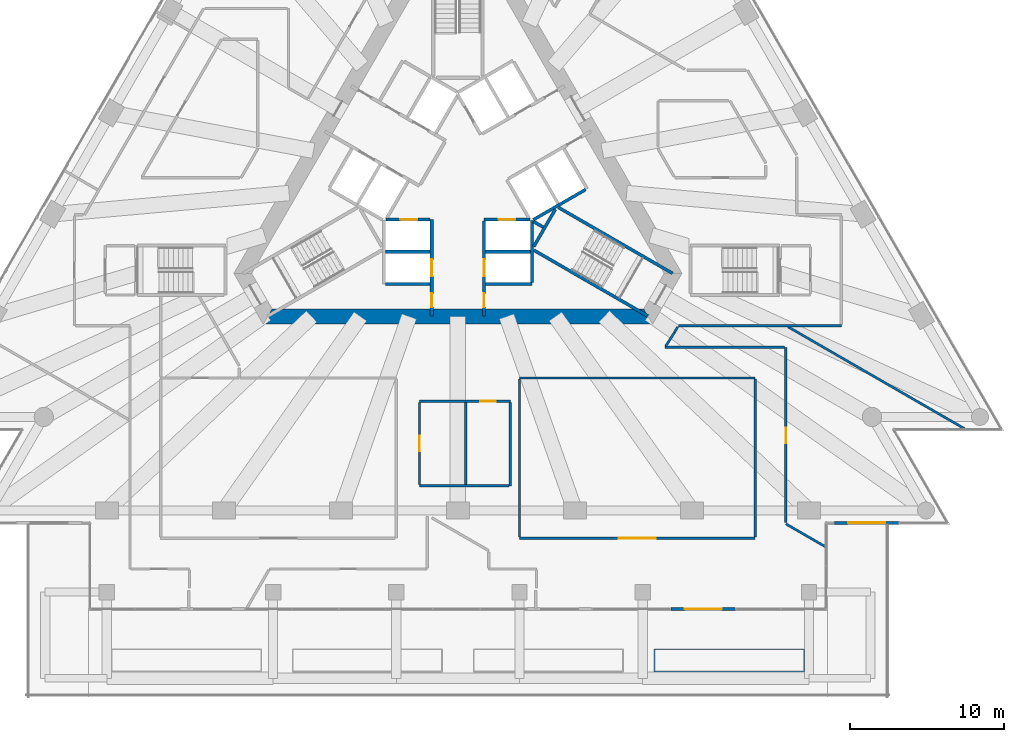
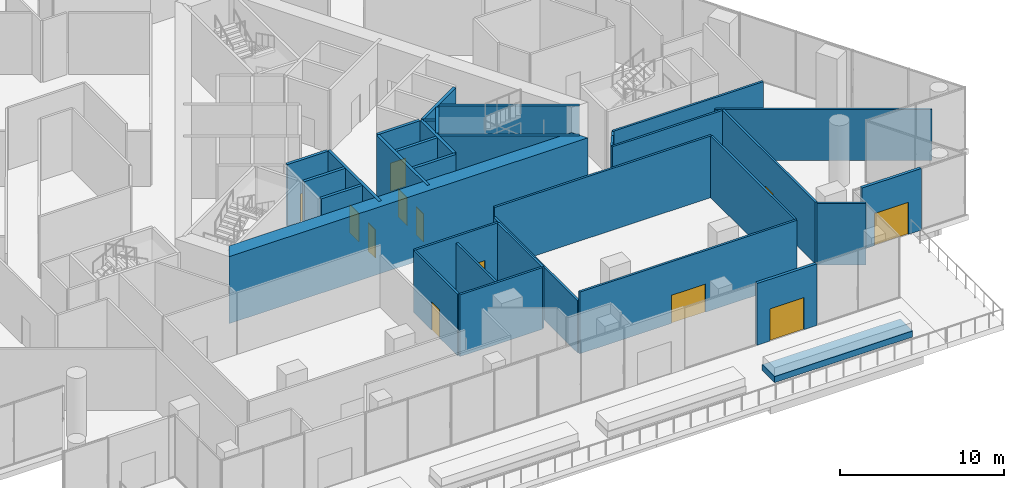
# One storey, part 26 of 32: 34 walls, 12 doors, 12 openings.
"""IFC4 building model written with IfcOpenShell, lengths in metres."""

from ifc_helpers import new_model, si_unit, direction, frame, frame_2d, origin, place, context, subcontext, project, spatial, polyline, rectangle, outline, extrude, material, layer, layer_set, layer_usage, type_object, element, fill, save


model = new_model("IFC4")

# Units and contexts
model_context = context("Model", 3, precision=1e-05, world=origin(), true_north=direction((0.0, 1.0)))
body_context = subcontext(model_context, "Body", "Model", "MODEL_VIEW")
ifc_project = project(units=[si_unit("LENGTHUNIT", "METRE"), si_unit("AREAUNIT", "SQUARE_METRE"), si_unit("VOLUMEUNIT", "CUBIC_METRE"), si_unit("PLANEANGLEUNIT", "RADIAN"), si_unit("MASSUNIT", "GRAM", prefix="KILO")], contexts=[model_context])

# Site, building, storey
site_placement = place(None, origin())
site = spatial("IfcSite", under=ifc_project, at=site_placement, CompositionType="ELEMENT")
building_placement = place(site_placement, origin())
building = spatial("IfcBuilding", under=site, at=building_placement, Name="Triada Interchange Tower", CompositionType="ELEMENT")
storey_placement = place(building_placement, frame((0.0, 0.0, 25.300048828125)))
storey = spatial("IfcBuildingStorey", under=building, at=storey_placement, Name="L04", CompositionType="ELEMENT", Elevation=25.300048828125)

# Walls
ifc_material_1 = material(Name="Concrete C30/37", Category="concrete")
ifc_layer_1 = layer(ifc_material_1, 0.199951171875)
ifc_layer_set_1 = layer_set([ifc_layer_1], Name="CORE WALL 200 EI 120")
wall_type_1 = type_object("IfcWallType", Name="CORE WALL 200 EI 120", PredefinedType="SOLIDWALL", material=ifc_layer_set_1)
for number, where, z_axis, x_axis, name in (
    (1, (-4.699951171875, -4.800048828125, 0.0), (0.0, 0.0, 1.0), (1.0, 0.0, 0.0), "Wall L04 96"),
    (2, (1.800048828125, -4.800048828125, 0.0), (0.0, 0.0, 1.0), (1.0, 0.0, 0.0), "Wall L04 97"),
    (3, (-4.699951171875, -6.89990234375, 0.0), (0.0, 0.0, 1.0), (1.0, 0.0, 0.0), "Wall L04 99"),
):
    element("IfcWall", number, at=place(storey_placement, frame(where, z_axis=z_axis, x_axis=x_axis)), inside=storey, type_object=wall_type_1, Name=name, PredefinedType="SOLIDWALL", context=body_context, shape_type="SweptSolid", body=[
        extrude(rectangle(XDim=2.89990234375, YDim=0.199951171875, at=frame_2d((1.449951171875, 0.0))), origin(), (0.0, 0.0, 1.0), 4.599853515625),
    ])
wall_1_placement = place(storey_placement, frame((1.800048828125, -6.89990234375, 0.0), z_axis=(0.0, 0.0, 1.0), x_axis=(1.0, 0.0, 0.0)))
element("IfcWall", 4, at=wall_1_placement, inside=storey, type_object=wall_type_1, Name="Wall L04 100", PredefinedType="SOLIDWALL", context=body_context, shape_type="SweptSolid", body=[
    extrude(rectangle(XDim=3.0, YDim=0.199951171875, at=frame_2d((1.5, 0.0))), origin(), (0.0, 0.0, 1.0), 4.599853515625),
])

# Wall, openings, doors
wall_2_placement = place(storey_placement, frame((-1.699951171875, -8.97998046875, 0.0), z_axis=(0.0, 0.0, 1.0), x_axis=(0.0, 1.0, 0.0)))
wall_2 = element("IfcWall", 5, at=wall_2_placement, inside=storey, type_object=wall_type_1, Name="Wall L04 101", PredefinedType="SOLIDWALL", context=body_context, shape_type="SweptSolid", body=[
    extrude(rectangle(XDim=6.277099609375, YDim=0.199951171875, at=frame_2d((3.138671875, 0.0))), origin(), (0.0, 0.0, 1.0), 4.599853515625),
])
opening_1_placement = place(wall_2_placement, frame((2.580078125, 0.0, 0.0)))
opening_1 = element("IfcOpeningElement", 6, at=opening_1_placement, cuts=wall_2, Name="Opening LD-LR4", PredefinedType="OPENING", context=body_context, shape_type="SweptSolid", body=[
    extrude(rectangle(XDim=1.10009765625, YDim=2.10009765625, at=frame_2d((0.550048828125, 1.050048828125))), frame((0.0, 0.10986328125, 0.0), z_axis=(0.0, -1.0, 0.0), x_axis=(1.0, 0.0, 0.0)), (0.0, 0.0, 1.0), 0.219970703125),
])
opening_2_placement = place(wall_2_placement, frame((0.580078125, 0.0, 0.0)))
opening_2 = element("IfcOpeningElement", 7, at=opening_2_placement, cuts=wall_2, Name="Opening D04-38", PredefinedType="OPENING", context=body_context, shape_type="SweptSolid", body=[
    extrude(rectangle(XDim=0.89990234375, YDim=2.10009765625, at=frame_2d((0.449951171875, 1.050048828125))), frame((0.0, 0.10986328125, 0.0), z_axis=(0.0, -1.0, 0.0), x_axis=(1.0, 0.0, 0.0)), (0.0, 0.0, 1.0), 0.219970703125),
])
ifc_material_2 = material(Name="Steel S235 door leaf", Category="steel")
door_type_1 = type_object("IfcDoorType", Name="LIFT LANDING DOOR 1100 EI 120", OperationType="SLIDING_TO_LEFT", PredefinedType="DOOR", material=ifc_material_2)
door_1_placement = place(opening_1_placement, origin())
door_1 = element("IfcDoor", 8, at=door_1_placement, inside=storey, type_object=door_type_1, Name="LR4 landing door L04", OperationType="SLIDING_TO_LEFT", OverallHeight=2.10009765625, OverallWidth=1.10009765625, PredefinedType="DOOR", context=body_context, shape_type="SweptSolid", body=[
    extrude(rectangle(XDim=1.10009765625, YDim=2.10009765625, at=frame_2d((0.550048828125, 1.050048828125))), frame((0.0, 0.02490234375, 0.0), z_axis=(0.0, -1.0, 0.0), x_axis=(1.0, 0.0, 0.0)), (0.0, 0.0, 1.0), 0.050048828125),
])
fill(opening_1, door_1)
door_type_2 = type_object("IfcDoorType", Name="RISER ACCESS DOOR 900 EI2 45-C5S200", OperationType="NOTDEFINED", PredefinedType="DOOR", material=ifc_material_2)
door_2_placement = place(opening_2_placement, origin())
door_2 = element("IfcDoor", 9, at=door_2_placement, inside=storey, type_object=door_type_2, Name="Door D04-38 L04", OperationType="SINGLE_SWING_RIGHT", OverallHeight=2.10009765625, OverallWidth=0.89990234375, PredefinedType="DOOR", context=body_context, shape_type="SweptSolid", body=[
    extrude(rectangle(XDim=0.89990234375, YDim=2.10009765625, at=frame_2d((0.449951171875, 1.050048828125))), frame((0.0, 0.02490234375, 0.0), z_axis=(0.0, -1.0, 0.0), x_axis=(1.0, 0.0, 0.0)), (0.0, 0.0, 1.0), 0.050048828125),
])
fill(opening_2, door_2)

# Wall, opening, door
wall_3_placement = place(storey_placement, frame((-4.676025390625, -2.699951171875, 0.0), z_axis=(0.0, 0.0, 1.0), x_axis=(1.0, 0.0, 0.0)))
wall_3 = element("IfcWall", 10, at=wall_3_placement, inside=storey, type_object=wall_type_1, Name="Wall L04 102", PredefinedType="SOLIDWALL", context=body_context, shape_type="SweptSolid", body=[
    extrude(rectangle(XDim=2.873046875, YDim=0.199951171875, at=frame_2d((1.4365234375, 0.0))), origin(), (0.0, 0.0, 1.0), 4.599853515625),
])
opening_3_placement = place(wall_3_placement, frame((0.93701171875, 0.0, 0.0)))
opening_3 = element("IfcOpeningElement", 11, at=opening_3_placement, cuts=wall_3, Name="Opening LD-LR3", PredefinedType="OPENING", context=body_context, shape_type="SweptSolid", body=[
    extrude(rectangle(XDim=1.10009765625, YDim=2.10009765625, at=frame_2d((0.550048828125, 1.050048828125))), frame((0.0, 0.10986328125, 0.0), z_axis=(0.0, -1.0, 0.0), x_axis=(1.0, 0.0, 0.0)), (0.0, 0.0, 1.0), 0.219970703125),
])
door_3_placement = place(opening_3_placement, origin())
door_3 = element("IfcDoor", 12, at=door_3_placement, inside=storey, type_object=door_type_1, Name="LR3 landing door L04", OperationType="SLIDING_TO_LEFT", OverallHeight=2.10009765625, OverallWidth=1.10009765625, PredefinedType="DOOR", context=body_context, shape_type="SweptSolid", body=[
    extrude(rectangle(XDim=1.10009765625, YDim=2.10009765625, at=frame_2d((0.550048828125, 1.050048828125))), frame((0.0, 0.02490234375, 0.0), z_axis=(0.0, -1.0, 0.0), x_axis=(1.0, 0.0, 0.0)), (0.0, 0.0, 1.0), 0.050048828125),
])
fill(opening_3, door_3)

wall_4_placement = place(storey_placement, frame((1.702880859375, -2.699951171875, 0.0), z_axis=(0.0, 0.0, 1.0), x_axis=(1.0, 0.0, 0.0)))
wall_4 = element("IfcWall", 13, at=wall_4_placement, inside=storey, type_object=wall_type_1, Name="Wall L04 103", PredefinedType="SOLIDWALL", context=body_context, shape_type="SweptSolid", body=[
    extrude(rectangle(XDim=2.97314453125, YDim=0.199951171875, at=frame_2d((1.486572265625, 0.0))), origin(), (0.0, 0.0, 1.0), 4.599853515625),
])
opening_4_placement = place(wall_4_placement, frame((0.93603515625, 0.0, 0.0)))
opening_4 = element("IfcOpeningElement", 14, at=opening_4_placement, cuts=wall_4, Name="Opening LD-LR1", PredefinedType="OPENING", context=body_context, shape_type="SweptSolid", body=[
    extrude(rectangle(XDim=1.10009765625, YDim=2.10009765625, at=frame_2d((0.550048828125, 1.050048828125))), frame((0.0, 0.10986328125, 0.0), z_axis=(0.0, -1.0, 0.0), x_axis=(1.0, 0.0, 0.0)), (0.0, 0.0, 1.0), 0.219970703125),
])
door_4_placement = place(opening_4_placement, origin())
door_4 = element("IfcDoor", 15, at=door_4_placement, inside=storey, type_object=door_type_1, Name="LR1 landing door L04", OperationType="SLIDING_TO_LEFT", OverallHeight=2.10009765625, OverallWidth=1.10009765625, PredefinedType="DOOR", context=body_context, shape_type="SweptSolid", body=[
    extrude(rectangle(XDim=1.10009765625, YDim=2.10009765625, at=frame_2d((0.550048828125, 1.050048828125))), frame((0.0, 0.02490234375, 0.0), z_axis=(0.0, -1.0, 0.0), x_axis=(1.0, 0.0, 0.0)), (0.0, 0.0, 1.0), 0.050048828125),
])
fill(opening_4, door_4)

# Wall, openings, doors
wall_5_placement = place(storey_placement, frame((1.699951171875, -8.97998046875, 0.0), z_axis=(0.0, 0.0, 1.0), x_axis=(0.0, 1.0, 0.0)))
wall_5 = element("IfcWall", 16, at=wall_5_placement, inside=storey, type_object=wall_type_1, Name="Wall L04 108", PredefinedType="SOLIDWALL", context=body_context, shape_type="SweptSolid", body=[
    extrude(rectangle(XDim=6.177001953125, YDim=0.199951171875, at=frame_2d((3.08837890625, 0.0))), origin(), (0.0, 0.0, 1.0), 4.599853515625),
])
opening_5_placement = place(wall_5_placement, frame((2.580078125, 0.0, 0.0)))
opening_5 = element("IfcOpeningElement", 17, at=opening_5_placement, cuts=wall_5, Name="Opening LD-LR2", PredefinedType="OPENING", context=body_context, shape_type="SweptSolid", body=[
    extrude(rectangle(XDim=1.10009765625, YDim=2.10009765625, at=frame_2d((0.550048828125, 1.050048828125))), frame((0.0, 0.10986328125, 0.0), z_axis=(0.0, -1.0, 0.0), x_axis=(1.0, 0.0, 0.0)), (0.0, 0.0, 1.0), 0.219970703125),
])
opening_6_placement = place(wall_5_placement, frame((0.580078125, 0.0, 0.0)))
opening_6 = element("IfcOpeningElement", 18, at=opening_6_placement, cuts=wall_5, Name="Opening D04-41", PredefinedType="OPENING", context=body_context, shape_type="SweptSolid", body=[
    extrude(rectangle(XDim=0.89990234375, YDim=2.10009765625, at=frame_2d((0.449951171875, 1.050048828125))), frame((0.0, 0.10986328125, 0.0), z_axis=(0.0, -1.0, 0.0), x_axis=(1.0, 0.0, 0.0)), (0.0, 0.0, 1.0), 0.219970703125),
])
door_5_placement = place(opening_5_placement, origin())
door_5 = element("IfcDoor", 19, at=door_5_placement, inside=storey, type_object=door_type_1, Name="LR2 landing door L04", OperationType="SLIDING_TO_LEFT", OverallHeight=2.10009765625, OverallWidth=1.10009765625, PredefinedType="DOOR", context=body_context, shape_type="SweptSolid", body=[
    extrude(rectangle(XDim=1.10009765625, YDim=2.10009765625, at=frame_2d((0.550048828125, 1.050048828125))), frame((0.0, 0.02490234375, 0.0), z_axis=(0.0, -1.0, 0.0), x_axis=(1.0, 0.0, 0.0)), (0.0, 0.0, 1.0), 0.050048828125),
])
fill(opening_5, door_5)
door_type_3 = type_object("IfcDoorType", Name="SERVICE DOOR 900 EI2 45-C5S200", OperationType="NOTDEFINED", PredefinedType="DOOR", material=ifc_material_2)
door_6_placement = place(opening_6_placement, origin())
door_6 = element("IfcDoor", 20, at=door_6_placement, inside=storey, type_object=door_type_3, Name="Door D04-41 L04", OperationType="SINGLE_SWING_LEFT", OverallHeight=2.10009765625, OverallWidth=0.89990234375, PredefinedType="DOOR", context=body_context, shape_type="SweptSolid", body=[
    extrude(rectangle(XDim=0.89990234375, YDim=2.10009765625, at=frame_2d((0.449951171875, 1.050048828125))), frame((0.0, 0.02490234375, 0.0), z_axis=(0.0, -1.0, 0.0), x_axis=(1.0, 0.0, 0.0)), (0.0, 0.0, 1.0), 0.050048828125),
])
fill(opening_6, door_6)

# Walls
wall_6_placement = place(storey_placement, frame((4.800048828125, -6.800048828125, 0.0), z_axis=(0.0, 0.0, 1.0), x_axis=(0.0, 1.0, 0.0)))
element("IfcWall", 21, at=wall_6_placement, inside=storey, type_object=wall_type_1, Name="Wall L04 109", PredefinedType="SOLIDWALL", context=body_context, shape_type="SweptSolid", body=[
    extrude(rectangle(XDim=4.029052734375, YDim=0.199951171875, at=frame_2d((2.0146484375, 0.0))), origin(), (0.0, 0.0, 1.0), 4.599853515625),
])
wall_7_placement = place(storey_placement, frame((4.89990234375, -2.714111328125, 0.0), z_axis=(0.0, 0.0, 1.0), x_axis=(0.865992350556, 0.500057245502, 0.0)))
element("IfcWall", 22, at=wall_7_placement, inside=storey, type_object=wall_type_1, Name="Wall L04 115", PredefinedType="SOLIDWALL", context=body_context, shape_type="SweptSolid", body=[
    extrude(rectangle(XDim=3.91357421875, YDim=0.199951171875, at=frame_2d((1.956787109375, 0.0))), origin(), (0.0, 0.0, 1.0), 4.599853515625),
])
ifc_layer_2 = layer(ifc_material_1, 0.199951171875)
ifc_layer_set_2 = layer_set([ifc_layer_2], Name="CORE WALL 200 EI 90")
wall_type_2 = type_object("IfcWallType", Name="CORE WALL 200 EI 90", PredefinedType="SOLIDWALL", material=ifc_layer_set_2)
wall_8_placement = place(storey_placement, frame((4.89990234375, -2.8291015625, 0.0), z_axis=(0.0, 0.0, 1.0), x_axis=(0.865944298464, -0.500140452231, 0.0)))
element("IfcWall", 23, at=wall_8_placement, inside=storey, type_object=wall_type_2, Name="Wall L04 131", PredefinedType="SOLIDWALL", context=body_context, shape_type="SweptSolid", body=[
    extrude(rectangle(XDim=0.741455078125, YDim=0.199951171875, at=frame_2d((0.37060546875, 0.0))), origin(), (0.0, 0.0, 1.0), 4.599853515625),
])
ifc_layer_3 = layer(ifc_material_1, 0.199951171875)
ifc_layer_set_3 = layer_set([ifc_layer_3], Name="CORE WALL 200 REI 240")
wall_type_3 = type_object("IfcWallType", Name="CORE WALL 200 REI 240", PredefinedType="SOLIDWALL", material=ifc_layer_set_3)
wall_9_placement = place(storey_placement, frame((4.928955078125, -4.4619140625, 0.0), z_axis=(0.0, 0.0, 1.0), x_axis=(0.500200581029, 0.865909567298, 0.0)))
element("IfcWall", 24, at=wall_9_placement, inside=storey, type_object=wall_type_3, Name="Wall L04 138", PredefinedType="SOLIDWALL", context=body_context, shape_type="SweptSolid", body=[
    extrude(rectangle(XDim=2.799072265625, YDim=0.199951171875, at=frame_2d((1.3994140625, 0.0))), origin(), (0.0, 0.0, 1.0), 4.599853515625),
])
wall_10_placement = place(storey_placement, frame((6.529052734375, -1.922119140625, 0.0), z_axis=(0.0, 0.0, 1.0), x_axis=(0.866036527536, -0.499980732602, 0.0)))
element("IfcWall", 25, at=wall_10_placement, inside=storey, type_object=wall_type_3, Name="Wall L04 139", PredefinedType="SOLIDWALL", context=body_context, shape_type="SweptSolid", body=[
    extrude(rectangle(XDim=8.564208984375, YDim=0.199951171875, at=frame_2d((4.2822265625, 0.0))), origin(), (0.0, 0.0, 1.0), 4.599853515625),
])
wall_11_placement = place(storey_placement, frame((4.928955078125, -4.693115234375, 0.0), z_axis=(0.0, 0.0, 1.0), x_axis=(0.865987152174, -0.50006624788, 0.0)))
element("IfcWall", 26, at=wall_11_placement, inside=storey, type_object=wall_type_3, Name="Wall L04 140", PredefinedType="SOLIDWALL", context=body_context, shape_type="SweptSolid", body=[
    extrude(rectangle(XDim=8.564697265625, YDim=0.199951171875, at=frame_2d((4.2822265625, 0.0))), origin(), (0.0, 0.0, 1.0), 4.599853515625),
])
ifc_material_3 = material(Name="Concrete C70/85", Category="concrete")
ifc_layer_4 = layer(ifc_material_3, 1.0)
ifc_layer_set_4 = layer_set([ifc_layer_4], Name="Core wall P 1000")
wall_type_4 = type_object("IfcWallType", Name="Core wall P 1000", PredefinedType="SHEAR", material=ifc_layer_set_4)
wall_12_placement = place(storey_placement, frame((-12.35498046875, -9.0, -0.400146484375), z_axis=(0.0, 0.0, 1.0), x_axis=(1.0, 0.0, 0.0)))
element("IfcWall", 27, at=wall_12_placement, inside=storey, type_object=wall_type_4, Name="Core wall WP04 L04", PredefinedType="SHEAR", context=body_context, shape_type="SweptSolid", body=[
    extrude(outline(polyline([(-0.2890625, -0.5), (1.65625, -0.5), (3.601318359375, -0.5), (5.546630859375, -0.5), (7.491943359375, -0.5), (9.43701171875, -0.5), (11.38232421875, -0.5), (13.32763671875, -0.5), (15.27294921875, -0.5), (17.218017578125, -0.5), (19.163330078125, -0.5), (21.108642578125, -0.5), (23.0537109375, -0.5), (24.9990234375, -0.5), (24.422119140625, 0.5), (22.565673828125, 0.5), (20.709228515625, 0.5), (18.852783203125, 0.5), (16.996337890625, 0.5), (15.139892578125, 0.5), (13.283447265625, 0.5), (11.4267578125, 0.5), (9.5703125, 0.5), (7.7138671875, 0.5), (5.857421875, 0.5), (4.0009765625, 0.5), (2.14453125, 0.5), (0.2880859375, 0.5), (-0.2890625, -0.5)])), origin(), (0.0, 0.0, 1.0), 5.0),
])

# Wall, opening, door
ifc_material_4 = material(Name="Cement board")
ifc_layer_5 = layer(ifc_material_4, 0.02001953125, Name="Cement board cladding")
ifc_material_5 = material(Name="Sheathing board")
ifc_layer_6 = layer(ifc_material_5, 0.014892578125, Name="Sheathing board")
ifc_material_6 = material(Name="Mineral wool")
ifc_layer_7 = layer(ifc_material_6, 0.14990234375, Name="Mineral wool between steel studs")
ifc_material_7 = material(Name="Gypsum board")
ifc_layer_8 = layer(ifc_material_7, 0.014892578125, Name="Plasterboard lining")
ifc_layer_set_5 = layer_set([ifc_layer_5, ifc_layer_6, ifc_layer_7, ifc_layer_8], Name="External wall 200")
ifc_layer_usage = layer_usage(ifc_layer_set_5, "AXIS2", "POSITIVE", -0.10009765625)
wall_type_5 = type_object("IfcWallType", Name="External wall 200", PredefinedType="ELEMENTEDWALL", material=ifc_layer_set_5)
wall_13_placement = place(storey_placement, frame((13.8330078125, -28.0, 0.0), z_axis=(0.0, 0.0, 1.0), x_axis=(1.0, 0.0, 0.0)))
wall_13 = element("IfcWall", 28, at=wall_13_placement, inside=storey, type_object=wall_type_5, material=ifc_layer_usage, Name="External wall L04 00.5", PredefinedType="ELEMENTEDWALL", context=body_context, shape_type="SweptSolid", body=[
    extrude(rectangle(XDim=4.199951171875, YDim=0.199951171875, at=frame_2d((2.10009765625, 0.0))), origin(), (0.0, 0.0, 1.0), 4.599853515625),
])
opening_7_placement = place(wall_13_placement, frame((0.89990234375, 0.0, 0.0)))
opening_7 = element("IfcOpeningElement", 29, at=opening_7_placement, cuts=wall_13, Name="Opening DX52", PredefinedType="OPENING", context=body_context, shape_type="SweptSolid", body=[
    extrude(rectangle(XDim=2.39990234375, YDim=2.39990234375, at=frame_2d((1.199951171875, 1.199951171875))), frame((0.0, 0.10986328125, 0.0), z_axis=(0.0, -1.0, 0.0), x_axis=(1.0, 0.0, 0.0)), (0.0, 0.0, 1.0), 0.219970703125),
])
ifc_material_8 = material(Name="Aluminium and glass", Category="aluminium")
door_type_4 = type_object("IfcDoorType", Name="Terrace door double", OperationType="DOUBLE_DOOR_SINGLE_SWING", PredefinedType="DOOR", material=ifc_material_8)
door_7_placement = place(opening_7_placement, frame((2.39990234375, 0.0, 0.0), z_axis=(0.0, 0.0, 1.0), x_axis=(-1.0, 0.0, 0.0)))
door_7 = element("IfcDoor", 30, at=door_7_placement, inside=storey, type_object=door_type_4, Name="Door DX52 L04", OperationType="DOUBLE_DOOR_SINGLE_SWING", OverallHeight=2.39990234375, OverallWidth=2.39990234375, PredefinedType="DOOR", context=body_context, shape_type="SweptSolid", body=[
    extrude(rectangle(XDim=2.39990234375, YDim=2.39990234375, at=frame_2d((1.199951171875, 1.199951171875))), frame((0.0, 0.02490234375, 0.0), z_axis=(0.0, -1.0, 0.0), x_axis=(1.0, 0.0, 0.0)), (0.0, 0.0, 1.0), 0.050048828125),
])
fill(opening_7, door_7)

wall_14_placement = place(storey_placement, frame((24.44189453125, -22.39990234375, 0.0), z_axis=(0.0, 0.0, 1.0), x_axis=(1.0, 0.0, 0.0)))
wall_14 = element("IfcWall", 31, at=wall_14_placement, inside=storey, type_object=wall_type_5, material=ifc_layer_usage, Name="External wall L04 02.1", PredefinedType="ELEMENTEDWALL", context=body_context, shape_type="SweptSolid", body=[
    extrude(rectangle(XDim=4.2001953125, YDim=0.199951171875, at=frame_2d((2.10009765625, 0.0))), origin(), (0.0, 0.0, 1.0), 4.599853515625),
])
opening_8_placement = place(wall_14_placement, frame((0.89990234375, 0.0, 0.0)))
opening_8 = element("IfcOpeningElement", 32, at=opening_8_placement, cuts=wall_14, Name="Opening DX53", PredefinedType="OPENING", context=body_context, shape_type="SweptSolid", body=[
    extrude(rectangle(XDim=2.39990234375, YDim=2.39990234375, at=frame_2d((1.199951171875, 1.199951171875))), frame((0.0, 0.10986328125, 0.0), z_axis=(0.0, -1.0, 0.0), x_axis=(1.0, 0.0, 0.0)), (0.0, 0.0, 1.0), 0.219970703125),
])
door_8_placement = place(opening_8_placement, frame((2.39990234375, 0.0, 0.0), z_axis=(0.0, 0.0, 1.0), x_axis=(-1.0, 0.0, 0.0)))
door_8 = element("IfcDoor", 33, at=door_8_placement, inside=storey, type_object=door_type_4, Name="Door DX53 L04", OperationType="DOUBLE_DOOR_SINGLE_SWING", OverallHeight=2.39990234375, OverallWidth=2.39990234375, PredefinedType="DOOR", context=body_context, shape_type="SweptSolid", body=[
    extrude(rectangle(XDim=2.39990234375, YDim=2.39990234375, at=frame_2d((1.199951171875, 1.199951171875))), frame((0.0, 0.02490234375, 0.0), z_axis=(0.0, -1.0, 0.0), x_axis=(1.0, 0.0, 0.0)), (0.0, 0.0, 1.0), 0.050048828125),
])
fill(opening_8, door_8)

# Walls
ifc_material_9 = material(Name="Gypsum board partition")
ifc_layer_9 = layer(ifc_material_9, 0.14990234375)
ifc_layer_set_6 = layer_set([ifc_layer_9], Name="PARTITION 150 EI 90")
wall_type_6 = type_object("IfcWallType", Name="PARTITION 150 EI 90", PredefinedType="PARTITIONING", material=ifc_layer_set_6)
wall_15_placement = place(storey_placement, frame((14.318115234375, -9.60009765625, 0.0), z_axis=(0.0, 0.0, 1.0), x_axis=(1.0, 0.0, 0.0)))
element("IfcWall", 34, at=wall_15_placement, inside=storey, type_object=wall_type_6, Name="Wall L04 19", PredefinedType="PARTITIONING", context=body_context, shape_type="SweptSolid", body=[
    extrude(rectangle(XDim=10.581787109375, YDim=0.14990234375, at=frame_2d((5.291015625, 0.0))), origin(), (0.0, 0.0, 1.0), 4.599853515625),
])
wall_16_placement = place(storey_placement, frame((4.0, -13.0, 0.0), z_axis=(0.0, 0.0, 1.0), x_axis=(1.0, 0.0, 0.0)))
element("IfcWall", 35, at=wall_16_placement, inside=storey, type_object=wall_type_6, Name="Wall L04 29", PredefinedType="PARTITIONING", context=body_context, shape_type="SweptSolid", body=[
    extrude(rectangle(XDim=15.300048828125, YDim=0.14990234375, at=frame_2d((7.64990234375, 0.0))), origin(), (0.0, 0.0, 1.0), 4.599853515625),
])

# Wall, opening, door
wall_17_placement = place(storey_placement, frame((4.0, -23.39990234375, 0.0), z_axis=(0.0, 0.0, 1.0), x_axis=(1.0, 0.0, 0.0)))
wall_17 = element("IfcWall", 36, at=wall_17_placement, inside=storey, type_object=wall_type_6, Name="Wall L04 32", PredefinedType="PARTITIONING", context=body_context, shape_type="SweptSolid", body=[
    extrude(rectangle(XDim=15.300048828125, YDim=0.14990234375, at=frame_2d((7.64990234375, 0.0))), origin(), (0.0, 0.0, 1.0), 4.599853515625),
])
opening_9_placement = place(wall_17_placement, frame((6.449951171875, 0.0, 0.0)))
opening_9 = element("IfcOpeningElement", 37, at=opening_9_placement, cuts=wall_17, Name="Opening D04-17", PredefinedType="OPENING", context=body_context, shape_type="SweptSolid", body=[
    extrude(rectangle(XDim=2.39990234375, YDim=2.10009765625, at=frame_2d((1.199951171875, 1.050048828125))), frame((0.0, 0.0849609375, 0.0), z_axis=(0.0, -1.0, 0.0), x_axis=(1.0, 0.0, 0.0)), (0.0, 0.0, 1.0), 0.169921875),
])
door_type_5 = type_object("IfcDoorType", Name="SHOP AND HALL ENTRANCE DOOR 2400 EI2 90-C5S200", OperationType="DOUBLE_DOOR_SINGLE_SWING", PredefinedType="DOOR", material=ifc_material_2)
door_9_placement = place(opening_9_placement, origin())
door_9 = element("IfcDoor", 38, at=door_9_placement, inside=storey, type_object=door_type_5, Name="Door D04-17 L04", OperationType="DOUBLE_DOOR_SINGLE_SWING", OverallHeight=2.10009765625, OverallWidth=2.39990234375, PredefinedType="DOOR", context=body_context, shape_type="SweptSolid", body=[
    extrude(rectangle(XDim=2.39990234375, YDim=2.10009765625, at=frame_2d((1.199951171875, 1.050048828125))), frame((0.0, 0.02490234375, 0.0), z_axis=(0.0, -1.0, 0.0), x_axis=(1.0, 0.0, 0.0)), (0.0, 0.0, 1.0), 0.050048828125),
])
fill(opening_9, door_9)

wall_18_placement = place(storey_placement, frame((-2.5, -14.5, 0.0), z_axis=(0.0, 0.0, 1.0), x_axis=(1.0, 0.0, 0.0)))
wall_18 = element("IfcWall", 39, at=wall_18_placement, inside=storey, type_object=wall_type_6, Name="Wall L04 55", PredefinedType="PARTITIONING", context=body_context, shape_type="SweptSolid", body=[
    extrude(rectangle(XDim=5.89990234375, YDim=0.14990234375, at=frame_2d((2.949951171875, 0.0))), origin(), (0.0, 0.0, 1.0), 4.599853515625),
])
opening_10_placement = place(wall_18_placement, frame((3.949951171875, 0.0, 0.0)))
opening_10 = element("IfcOpeningElement", 40, at=opening_10_placement, cuts=wall_18, Name="Opening D04-19", PredefinedType="OPENING", context=body_context, shape_type="SweptSolid", body=[
    extrude(rectangle(XDim=1.0, YDim=2.10009765625, at=frame_2d((0.5, 1.050048828125))), frame((0.0, 0.0849609375, 0.0), z_axis=(0.0, -1.0, 0.0), x_axis=(1.0, 0.0, 0.0)), (0.0, 0.0, 1.0), 0.169921875),
])
door_type_6 = type_object("IfcDoorType", Name="ROOM DOOR 1000 EI2 45-C5S200", OperationType="NOTDEFINED", PredefinedType="DOOR", material=ifc_material_2)
door_10_placement = place(opening_10_placement, origin())
door_10 = element("IfcDoor", 41, at=door_10_placement, inside=storey, type_object=door_type_6, Name="Door D04-19 L04", OperationType="SINGLE_SWING_RIGHT", OverallHeight=2.10009765625, OverallWidth=1.0, PredefinedType="DOOR", context=body_context, shape_type="SweptSolid", body=[
    extrude(rectangle(XDim=1.0, YDim=2.10009765625, at=frame_2d((0.5, 1.050048828125))), frame((0.0, 0.02490234375, 0.0), z_axis=(0.0, -1.0, 0.0), x_axis=(1.0, 0.0, 0.0)), (0.0, 0.0, 1.0), 0.050048828125),
])
fill(opening_10, door_10)

# Walls
wall_19_placement = place(storey_placement, frame((3.39990234375, -20.0, 0.0), z_axis=(0.0, 0.0, 1.0), x_axis=(0.0, 1.0, 0.0)))
element("IfcWall", 42, at=wall_19_placement, inside=storey, type_object=wall_type_6, Name="Wall L04 56", PredefinedType="PARTITIONING", context=body_context, shape_type="SweptSolid", body=[
    extrude(rectangle(XDim=5.425048828125, YDim=0.14990234375, at=frame_2d((2.71240234375, 0.0))), origin(), (0.0, 0.0, 1.0), 4.599853515625),
])
wall_20_placement = place(storey_placement, frame((-2.5, -20.0, 0.0), z_axis=(0.0, 0.0, 1.0), x_axis=(1.0, 0.0, 0.0)))
element("IfcWall", 43, at=wall_20_placement, inside=storey, type_object=wall_type_6, Name="Wall L04 57", PredefinedType="PARTITIONING", context=body_context, shape_type="SweptSolid", body=[
    extrude(rectangle(XDim=5.824951171875, YDim=0.14990234375, at=frame_2d((2.91259765625, 0.0))), origin(), (0.0, 0.0, 1.0), 4.599853515625),
])
wall_21_placement = place(storey_placement, frame((0.5, -19.925048828125, 0.0), z_axis=(0.0, 0.0, 1.0), x_axis=(0.0, 1.0, 0.0)))
element("IfcWall", 44, at=wall_21_placement, inside=storey, type_object=wall_type_6, Name="Wall L04 58", PredefinedType="PARTITIONING", context=body_context, shape_type="SweptSolid", body=[
    extrude(rectangle(XDim=5.35009765625, YDim=0.14990234375, at=frame_2d((2.675048828125, 0.0))), origin(), (0.0, 0.0, 1.0), 4.099853515625),
])

# Wall, opening, door
wall_22_placement = place(storey_placement, frame((-2.5, -19.925048828125, 0.0), z_axis=(0.0, 0.0, 1.0), x_axis=(0.0, 1.0, 0.0)))
wall_22 = element("IfcWall", 45, at=wall_22_placement, inside=storey, type_object=wall_type_6, Name="Wall L04 59", PredefinedType="PARTITIONING", context=body_context, shape_type="SweptSolid", body=[
    extrude(rectangle(XDim=5.35009765625, YDim=0.14990234375, at=frame_2d((2.675048828125, 0.0))), origin(), (0.0, 0.0, 1.0), 4.599853515625),
])
opening_11_placement = place(wall_22_placement, frame((2.175048828125, 0.0, 0.0)))
opening_11 = element("IfcOpeningElement", 46, at=opening_11_placement, cuts=wall_22, Name="Opening D04-18", PredefinedType="OPENING", context=body_context, shape_type="SweptSolid", body=[
    extrude(rectangle(XDim=1.0, YDim=2.10009765625, at=frame_2d((0.5, 1.050048828125))), frame((0.0, 0.0849609375, 0.0), z_axis=(0.0, -1.0, 0.0), x_axis=(1.0, 0.0, 0.0)), (0.0, 0.0, 1.0), 0.169921875),
])
door_11_placement = place(opening_11_placement, origin())
door_11 = element("IfcDoor", 47, at=door_11_placement, inside=storey, type_object=door_type_6, Name="Door D04-18 L04", OperationType="SINGLE_SWING_LEFT", OverallHeight=2.10009765625, OverallWidth=1.0, PredefinedType="DOOR", context=body_context, shape_type="SweptSolid", body=[
    extrude(rectangle(XDim=1.0, YDim=2.10009765625, at=frame_2d((0.5, 1.050048828125))), frame((0.0, 0.02490234375, 0.0), z_axis=(0.0, -1.0, 0.0), x_axis=(1.0, 0.0, 0.0)), (0.0, 0.0, 1.0), 0.050048828125),
])
fill(opening_11, door_11)

# Wall
wall_23_placement = place(storey_placement, frame((21.300048828125, -22.470947265625, 0.0), z_axis=(0.0, 0.0, 1.0), x_axis=(0.86589168432, -0.500231537416, 0.0)))
element("IfcWall", 48, at=wall_23_placement, inside=storey, type_object=wall_type_6, Name="Wall L04 68", PredefinedType="PARTITIONING", context=body_context, shape_type="SweptSolid", body=[
    extrude(rectangle(XDim=3.00244140625, YDim=0.14990234375, at=frame_2d((1.501220703125, 0.0))), origin(), (0.0, 0.0, 1.0), 4.599853515625),
])

# Wall, opening, door
wall_24_placement = place(storey_placement, frame((21.300048828125, -22.385009765625, 0.0), z_axis=(0.0, 0.0, 1.0), x_axis=(0.0, 1.0, 0.0)))
wall_24 = element("IfcWall", 49, at=wall_24_placement, inside=storey, type_object=wall_type_6, Name="Wall L04 69", PredefinedType="PARTITIONING", context=body_context, shape_type="SweptSolid", body=[
    extrude(rectangle(XDim=11.385009765625, YDim=0.14990234375, at=frame_2d((5.6923828125, 0.0))), origin(), (0.0, 0.0, 1.0), 4.599853515625),
])
opening_12_placement = place(wall_24_placement, frame((5.14892578125, 0.0, 0.0)))
opening_12 = element("IfcOpeningElement", 50, at=opening_12_placement, cuts=wall_24, Name="Opening D04-31", PredefinedType="OPENING", context=body_context, shape_type="SweptSolid", body=[
    extrude(rectangle(XDim=1.0, YDim=2.10009765625, at=frame_2d((0.5, 1.050048828125))), frame((0.0, 0.0849609375, 0.0), z_axis=(0.0, -1.0, 0.0), x_axis=(1.0, 0.0, 0.0)), (0.0, 0.0, 1.0), 0.169921875),
])
door_12_placement = place(opening_12_placement, origin())
door_12 = element("IfcDoor", 51, at=door_12_placement, inside=storey, type_object=door_type_6, Name="Door D04-31 L04", OperationType="SINGLE_SWING_LEFT", OverallHeight=2.10009765625, OverallWidth=1.0, PredefinedType="DOOR", context=body_context, shape_type="SweptSolid", body=[
    extrude(rectangle(XDim=1.0, YDim=2.10009765625, at=frame_2d((0.5, 1.050048828125))), frame((0.0, 0.02490234375, 0.0), z_axis=(0.0, -1.0, 0.0), x_axis=(1.0, 0.0, 0.0)), (0.0, 0.0, 1.0), 0.050048828125),
])
fill(opening_12, door_12)

# Walls
wall_25_placement = place(storey_placement, frame((13.447021484375, -11.0, 0.0), z_axis=(0.0, 0.0, 1.0), x_axis=(1.0, 0.0, 0.0)))
element("IfcWall", 52, at=wall_25_placement, inside=storey, type_object=wall_type_6, Name="Wall L04 70", PredefinedType="PARTITIONING", context=body_context, shape_type="SweptSolid", body=[
    extrude(rectangle(XDim=7.778076171875, YDim=0.14990234375, at=frame_2d((3.88916015625, 0.0))), origin(), (0.0, 0.0, 1.0), 4.599853515625),
])
wall_26_placement = place(storey_placement, frame((13.49609375, -10.925048828125, 0.0), z_axis=(0.0, 0.0, 1.0), x_axis=(0.540463965639, 0.841367162329, 0.0)))
element("IfcWall", 53, at=wall_26_placement, inside=storey, type_object=wall_type_6, Name="Wall L04 71", PredefinedType="PARTITIONING", context=body_context, shape_type="SweptSolid", body=[
    extrude(rectangle(XDim=1.05078125, YDim=0.14990234375, at=frame_2d((0.525390625, 0.0))), origin(), (0.0, 0.0, 1.0), 4.599853515625),
])
wall_27_placement = place(storey_placement, frame((14.06396484375, -10.041015625, 0.0), z_axis=(0.0, 0.0, 1.0), x_axis=(0.499372162398, 0.86638758268, 0.0)))
element("IfcWall", 54, at=wall_27_placement, inside=storey, type_object=wall_type_6, Name="Wall L04 72", PredefinedType="PARTITIONING", context=body_context, shape_type="SweptSolid", body=[
    extrude(rectangle(XDim=0.42236328125, YDim=0.14990234375, at=frame_2d((0.211181640625, 0.0))), origin(), (0.0, 0.0, 1.0), 4.599853515625),
])
wall_28_placement = place(storey_placement, frame((21.445068359375, -9.675048828125, 0.0), z_axis=(0.0, 0.0, 1.0), x_axis=(0.866022650714, -0.500004768428, 0.0)))
element("IfcWall", 55, at=wall_28_placement, inside=storey, type_object=wall_type_6, Name="Wall L04 73", PredefinedType="PARTITIONING", context=body_context, shape_type="SweptSolid", body=[
    extrude(rectangle(XDim=13.299560546875, YDim=0.14990234375, at=frame_2d((6.64990234375, 0.0))), origin(), (0.0, 0.0, 1.0), 3.800048828125),
])
wall_29_placement = place(storey_placement, frame((19.300048828125, -23.324951171875, 0.0), z_axis=(0.0, 0.0, 1.0), x_axis=(0.0, 1.0, 0.0)))
element("IfcWall", 56, at=wall_29_placement, inside=storey, type_object=wall_type_6, Name="Wall L04 88", PredefinedType="PARTITIONING", context=body_context, shape_type="SweptSolid", body=[
    extrude(rectangle(XDim=10.25, YDim=0.14990234375, at=frame_2d((5.125, 0.0))), origin(), (0.0, 0.0, 1.0), 4.599853515625),
])
wall_30_placement = place(storey_placement, frame((4.0, -23.324951171875, 0.0), z_axis=(0.0, 0.0, 1.0), x_axis=(0.0, 1.0, 0.0)))
element("IfcWall", 57, at=wall_30_placement, inside=storey, type_object=wall_type_6, Name="Wall L04 89", PredefinedType="PARTITIONING", context=body_context, shape_type="SweptSolid", body=[
    extrude(rectangle(XDim=10.25, YDim=0.14990234375, at=frame_2d((5.125, 0.0))), origin(), (0.0, 0.0, 1.0), 3.89990234375),
])
ifc_layer_10 = layer(ifc_material_1, 1.5)
ifc_layer_set_7 = layer_set([ifc_layer_10], Name="Planter bed 450")
wall_type_7 = type_object("IfcWallType", Name="Planter bed 450", PredefinedType="STANDARD", material=ifc_layer_set_7)
wall_31_placement = place(storey_placement, frame((12.75, -31.330078125, 0.0), z_axis=(0.0, 0.0, 1.0), x_axis=(1.0, 0.0, 0.0)))
element("IfcWall", 58, at=wall_31_placement, inside=storey, type_object=wall_type_7, Name="PLANTER L04 19", PredefinedType="STANDARD", context=body_context, shape_type="SweptSolid", body=[
    extrude(rectangle(XDim=9.75, YDim=1.5, at=frame_2d((4.875, 0.0))), origin(), (0.0, 0.0, 1.0), 0.449951171875),
])

save(model, "model.ifc")
